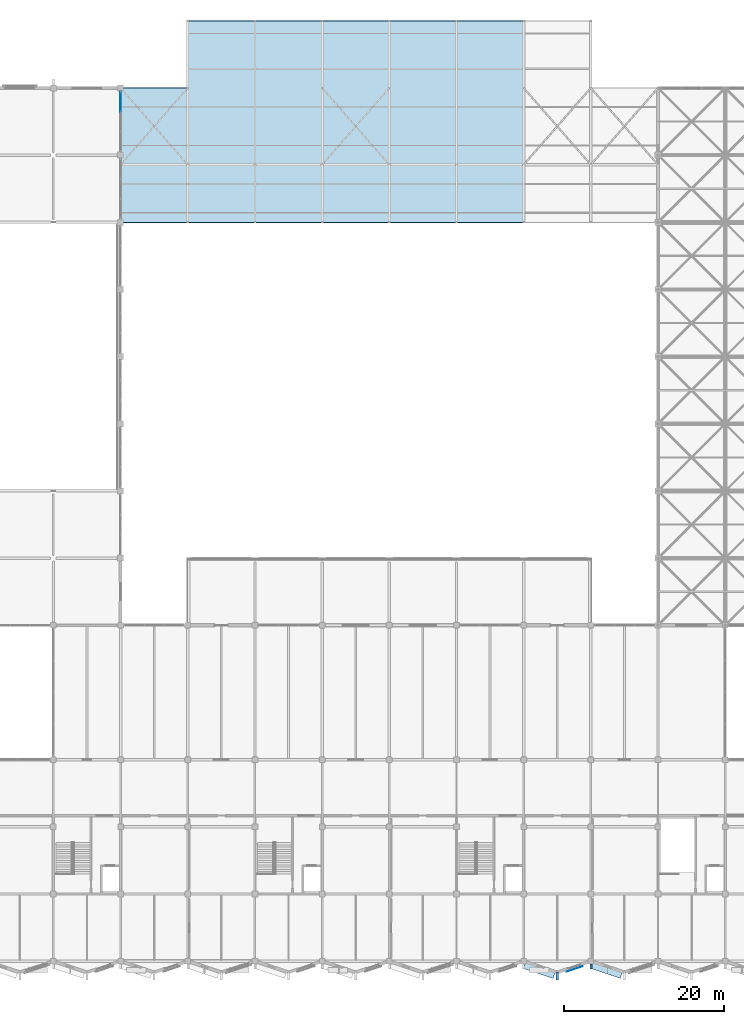
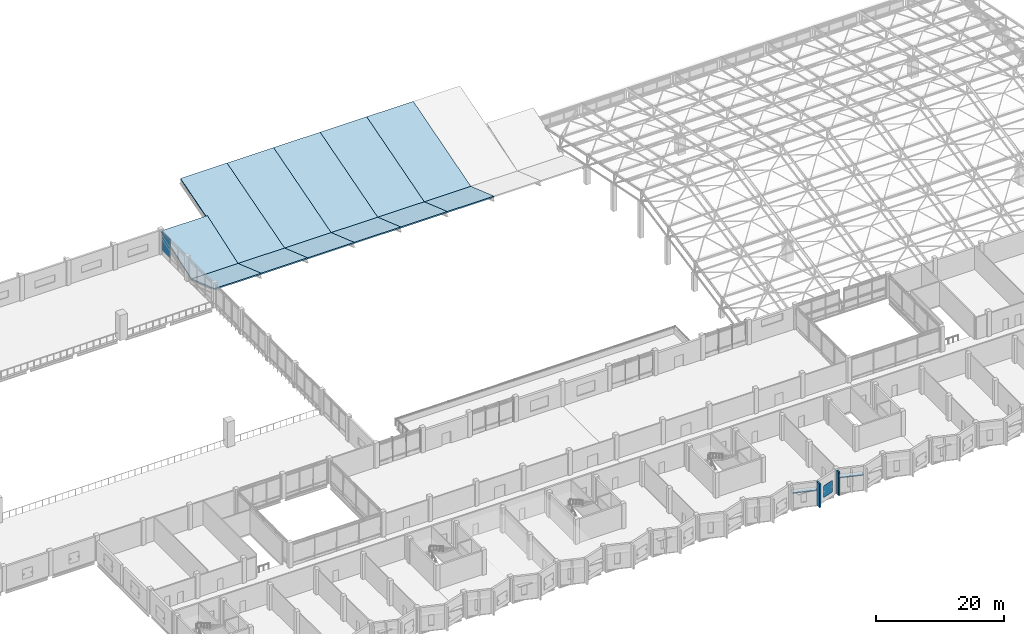
# One storey, part 75 of 110: 12 slabs, 7 plates, 1 element without a shape of its own.
"""IFC4 building model written with IfcOpenShell, lengths in metres."""

from ifc_helpers import new_model, si_unit, direction, frame, frame_2d, origin, place, context, subcontext, project, spatial, polyline, rectangle, outline, extrude, material, layer, layer_set, type_object, element, aggregate, save


model = new_model("IFC4")

# Units and contexts
model_context = context("Model", 3, precision=1e-05, world=origin(), true_north=direction((0.0, 1.0)))
body_context = subcontext(model_context, "Body", "Model", "MODEL_VIEW")
ifc_project = project(units=[si_unit("LENGTHUNIT", "METRE"), si_unit("AREAUNIT", "SQUARE_METRE"), si_unit("VOLUMEUNIT", "CUBIC_METRE"), si_unit("PLANEANGLEUNIT", "RADIAN"), si_unit("MASSUNIT", "GRAM", prefix="KILO")], contexts=[model_context])

# Site, building, storey
site_placement = place(None, origin())
site = spatial("IfcSite", under=ifc_project, at=site_placement, CompositionType="ELEMENT")
building_placement = place(site_placement, origin())
building = spatial("IfcBuilding", under=site, at=building_placement, Name="Qawsi Khor Wholesale Market", CompositionType="ELEMENT")
storey_placement = place(building_placement, frame((0.0, 0.0, 11.39990234375)))
storey = spatial("IfcBuildingStorey", under=building, at=storey_placement, Name="L02", CompositionType="ELEMENT", Elevation=11.39990234375)

# Plates
ifc_material_1 = material(Name="Perforated Bronze-Anodised Aluminium", Category="aluminium")
ifc_layer_1 = layer(ifc_material_1, 0.02001953125, Name="Perforated Bronze-Anodised Aluminium")
ifc_layer_set_1 = layer_set([ifc_layer_1], Name="Perforated Bronze-Anodised Aluminium")
plate_type_1 = type_object("IfcPlateType", Name="Perforated Bronze Mashrabiya Screen 20mm", PredefinedType="SHEET", material=ifc_layer_set_1)
plate_1_placement = place(storey_placement, frame((133.38671875, -0.63818359375, 0.85009765625), z_axis=(0.0, 0.0, 1.0), x_axis=(-0.948683298051, -0.316227766017, 0.0)))
element("IfcPlate", 1, at=plate_1_placement, inside=storey, type_object=plate_type_1, Name="Solar mashrabiya screen 033", PredefinedType="SHEET", context=body_context, shape_type="SweptSolid", body=[
    extrude(rectangle(XDim=2.099853515625, YDim=0.02001953125, at=frame_2d((1.0498046875, 0.0))), origin(), (0.0, 0.0, 1.0), 2.25),
])
ifc_material_2 = material(Name="Concrete C40/50", Category="concrete")
ifc_layer_2 = layer(ifc_material_2, 0.260009765625, Name="Concrete C40/50")
ifc_layer_set_2 = layer_set([ifc_layer_2], Name="Concrete C40/50")
plate_type_2 = type_object("IfcPlateType", Name="Sculpted Concrete Solar Buttress Fin 260", PredefinedType="SHEET", material=ifc_layer_set_2)
plate_2_placement = place(storey_placement, frame((130.199951171875, -2.35009765625, 0.0), z_axis=(0.0, 0.0, 1.0), x_axis=(0.0, 1.0, 0.0)))
element("IfcPlate", 2, at=plate_2_placement, inside=storey, type_object=plate_type_2, Name="Boulevard concrete solar buttress fin L02-25", PredefinedType="SHEET", context=body_context, shape_type="SweptSolid", body=[
    extrude(rectangle(XDim=1.0, YDim=0.260009765625, at=frame_2d((0.5, 0.0))), origin(), (0.0, 0.0, 1.0), 4.52001953125),
])
plate_3_placement = place(storey_placement, frame((134.39990234375, -0.949951171875, 0.0), z_axis=(0.0, 0.0, 1.0), x_axis=(0.0, 1.0, 0.0)))
element("IfcPlate", 3, at=plate_3_placement, inside=storey, type_object=plate_type_2, Name="Boulevard concrete solar buttress fin L02-26", PredefinedType="SHEET", context=body_context, shape_type="SweptSolid", body=[
    extrude(rectangle(XDim=0.570068359375, YDim=0.260009765625, at=frame_2d((0.28515625, 0.0))), origin(), (0.0, 0.0, 1.0), 4.52001953125),
])
ifc_layer_3 = layer(ifc_material_2, 0.949951171875, Name="Concrete C40/50")
ifc_layer_set_3 = layer_set([ifc_layer_3], Name="Concrete C40/50")
plate_type_3 = type_object("IfcPlateType", Name="Sculpted Concrete Sun-Hood Canopy 950", PredefinedType="SHEET", material=ifc_layer_set_3)
for number, where, z_axis, x_axis, name in (
    (4, (126.110595703125, -0.45849609375, 3.25), (0.0, 0.0, 1.0), (0.94867708111, -0.316246416226, 0.0), "Sculpted concrete sun-hood L02-25"),
    (5, (134.5107421875, -0.45849609375, 3.25), (0.0, 0.0, 1.0), (0.94867708111, -0.316246416226, 0.0), "Sculpted concrete sun-hood L02-27"),
):
    element("IfcPlate", number, at=place(storey_placement, frame(where, z_axis=z_axis, x_axis=x_axis)), inside=storey, type_object=plate_type_3, Name=name, PredefinedType="SHEET", context=body_context, shape_type="SweptSolid", body=[
        extrude(rectangle(XDim=3.92724609375, YDim=0.949951171875, at=frame_2d((1.963623046875, 0.0))), origin(), (0.0, 0.0, 1.0), 0.190185546875),
    ])

# Slabs
ifc_layer_4 = layer(ifc_material_2, 0.2099609375, Name="Concrete C40/50")
ifc_layer_set_4 = layer_set([ifc_layer_4], Name="Concrete C40/50")
slab_type = type_object("IfcSlabType", Name="Sloped Insulated Roof Deck 210", PredefinedType="ROOF", material=ifc_layer_set_4)
slab_1_placement = place(storey_placement, frame((75.60009765625, 92.39990234375, 3.4501953125), z_axis=(0.0, 0.328003748603, 0.944676421269), x_axis=(1.0, 0.0, 0.0)))
element("IfcSlab", 6, at=slab_1_placement, inside=storey, type_object=slab_type, Name="Auction Butterfly Roof South Wing 1", PredefinedType="ROOF", context=body_context, shape_type="SweptSolid", body=[
    extrude(outline(polyline([(0.0, 0.0), (8.39990234375, 0.0), (8.39990234375, 7.621864111760783), (0.0, 7.621864111760783), (0.0, 0.0)])), origin(), (0.0, 0.0, -1.0), 0.2099609375),
])
slab_2_placement = place(storey_placement, frame((75.60009765625, 99.60009765625, 0.9501953125), z_axis=(0.0, -0.325066997544, 0.945690989229), x_axis=(1.0, 0.0, 0.0)))
element("IfcSlab", 7, at=slab_2_placement, inside=storey, type_object=slab_type, Name="Auction Butterfly Roof North Wing 1", PredefinedType="ROOF", context=body_context, shape_type="SweptSolid", body=[
    extrude(outline(polyline([(0.0, 0.0), (8.39990234375, 0.0), (8.39990234375, 10.151152569886074), (0.0, 10.151152569886074), (0.0, 0.0)])), origin(), (0.0, 0.0, -1.0), 0.2099609375),
])
slab_3_placement = place(storey_placement, frame((84.0, 92.39990234375, 3.4501953125), z_axis=(0.0, 0.328003748603, 0.944676421269), x_axis=(1.0, 0.0, 0.0)))
element("IfcSlab", 8, at=slab_3_placement, inside=storey, type_object=slab_type, Name="Auction Butterfly Roof South Wing 2", PredefinedType="ROOF", context=body_context, shape_type="SweptSolid", body=[
    extrude(outline(polyline([(0.0, 0.0), (8.39990234375, 0.0), (8.39990234375, 7.621864111760783), (0.0, 7.621864111760783), (0.0, 0.0)])), origin(), (0.0, 0.0, -1.0), 0.2099609375),
])
slab_4_placement = place(storey_placement, frame((84.0, 99.60009765625, 0.9501953125), z_axis=(0.0, -0.282445263719, 0.959283416412), x_axis=(1.0, 0.0, 0.0)))
element("IfcSlab", 9, at=slab_4_placement, inside=storey, type_object=slab_type, Name="Auction Butterfly Roof North Wing 2", PredefinedType="ROOF", context=body_context, shape_type="SweptSolid", body=[
    extrude(outline(polyline([(0.0, 0.0), (8.39990234375, 0.0), (8.39990234375, 18.76400622803262), (0.0, 18.76400622803262), (0.0, 0.0)])), origin(), (0.0, 0.0, -1.0), 0.2099609375),
])
slab_5_placement = place(storey_placement, frame((92.39990234375, 92.39990234375, 3.4501953125), z_axis=(0.0, 0.328003748603, 0.944676421269), x_axis=(1.0, 0.0, 0.0)))
element("IfcSlab", 10, at=slab_5_placement, inside=storey, type_object=slab_type, Name="Auction Butterfly Roof South Wing 3", PredefinedType="ROOF", context=body_context, shape_type="SweptSolid", body=[
    extrude(outline(polyline([(0.0, 0.0), (8.400146484375, 0.0), (8.400146484375, 7.6218641117607815), (0.0, 7.6218641117607815), (0.0, 0.0)])), origin(), (0.0, 0.0, -1.0), 0.2099609375),
])
slab_6_placement = place(storey_placement, frame((92.39990234375, 99.60009765625, 0.9501953125), z_axis=(0.0, -0.282445263719, 0.959283416412), x_axis=(1.0, 0.0, 0.0)))
element("IfcSlab", 11, at=slab_6_placement, inside=storey, type_object=slab_type, Name="Auction Butterfly Roof North Wing 3", PredefinedType="ROOF", context=body_context, shape_type="SweptSolid", body=[
    extrude(outline(polyline([(0.0, 0.0), (8.400146484375, 0.0), (8.400146484375, 18.76400622803262), (0.0, 18.76400622803262), (0.0, 0.0)])), origin(), (0.0, 0.0, -1.0), 0.2099609375),
])
slab_7_placement = place(storey_placement, frame((100.800048828125, 92.39990234375, 3.4501953125), z_axis=(0.0, 0.328003748603, 0.944676421269), x_axis=(1.0, 0.0, 0.0)))
element("IfcSlab", 12, at=slab_7_placement, inside=storey, type_object=slab_type, Name="Auction Butterfly Roof South Wing 4", PredefinedType="ROOF", context=body_context, shape_type="SweptSolid", body=[
    extrude(outline(polyline([(0.0, 0.0), (8.39990234375, 0.0), (8.39990234375, 7.621864111760783), (0.0, 7.621864111760783), (0.0, 0.0)])), origin(), (0.0, 0.0, -1.0), 0.2099609375),
])
slab_8_placement = place(storey_placement, frame((100.800048828125, 99.60009765625, 0.9501953125), z_axis=(0.0, -0.282445263719, 0.959283416412), x_axis=(1.0, 0.0, 0.0)))
element("IfcSlab", 13, at=slab_8_placement, inside=storey, type_object=slab_type, Name="Auction Butterfly Roof North Wing 4", PredefinedType="ROOF", context=body_context, shape_type="SweptSolid", body=[
    extrude(outline(polyline([(0.0, 0.0), (8.39990234375, 0.0), (8.39990234375, 18.76400622803262), (0.0, 18.76400622803262), (0.0, 0.0)])), origin(), (0.0, 0.0, -1.0), 0.2099609375),
])
slab_9_placement = place(storey_placement, frame((109.199951171875, 92.39990234375, 3.4501953125), z_axis=(0.0, 0.328003748603, 0.944676421269), x_axis=(1.0, 0.0, 0.0)))
element("IfcSlab", 14, at=slab_9_placement, inside=storey, type_object=slab_type, Name="Auction Butterfly Roof South Wing 5", PredefinedType="ROOF", context=body_context, shape_type="SweptSolid", body=[
    extrude(outline(polyline([(0.0, 0.0), (8.400146484375, 0.0), (8.400146484375, 7.6218641117607815), (0.0, 7.6218641117607815), (0.0, 0.0)])), origin(), (0.0, 0.0, -1.0), 0.2099609375),
])
slab_10_placement = place(storey_placement, frame((109.199951171875, 99.60009765625, 0.9501953125), z_axis=(0.0, -0.282445263719, 0.959283416412), x_axis=(1.0, 0.0, 0.0)))
element("IfcSlab", 15, at=slab_10_placement, inside=storey, type_object=slab_type, Name="Auction Butterfly Roof North Wing 5", PredefinedType="ROOF", context=body_context, shape_type="SweptSolid", body=[
    extrude(outline(polyline([(0.0, 0.0), (8.400146484375, 0.0), (8.400146484375, 18.76400622803262), (0.0, 18.76400622803262), (0.0, 0.0)])), origin(), (0.0, 0.0, -1.0), 0.2099609375),
])
slab_11_placement = place(storey_placement, frame((117.60009765625, 92.39990234375, 3.4501953125), z_axis=(0.0, 0.328003748603, 0.944676421269), x_axis=(1.0, 0.0, 0.0)))
element("IfcSlab", 16, at=slab_11_placement, inside=storey, type_object=slab_type, Name="Auction Butterfly Roof South Wing 6", PredefinedType="ROOF", context=body_context, shape_type="SweptSolid", body=[
    extrude(outline(polyline([(0.0, 0.0), (8.39990234375, 0.0), (8.39990234375, 7.621864111760783), (0.0, 7.621864111760783), (0.0, 0.0)])), origin(), (0.0, 0.0, -1.0), 0.2099609375),
])
slab_12_placement = place(storey_placement, frame((117.60009765625, 99.60009765625, 0.9501953125), z_axis=(0.0, -0.282445263719, 0.959283416412), x_axis=(1.0, 0.0, 0.0)))
element("IfcSlab", 17, at=slab_12_placement, inside=storey, type_object=slab_type, Name="Auction Butterfly Roof North Wing 6", PredefinedType="ROOF", context=body_context, shape_type="SweptSolid", body=[
    extrude(outline(polyline([(0.0, 0.0), (8.39990234375, 0.0), (8.39990234375, 18.76400622803262), (0.0, 18.76400622803262), (0.0, 0.0)])), origin(), (0.0, 0.0, -1.0), 0.2099609375),
])

# Curtain wall, plates
ifc_material_3 = material(Name="Aluminium Anodised Bronze", Category="aluminium")
ifc_layer_5 = layer(ifc_material_3, 0.199951171875, Name="Aluminium Anodised Bronze")
ifc_layer_set_5 = layer_set([ifc_layer_5], Name="Aluminium Anodised Bronze")
curtain_wall_type = type_object("IfcCurtainWallType", Name="Trading Hall North-Light Curtain Wall CW-03", PredefinedType="NOTDEFINED", material=ifc_layer_set_5)
curtain_wall_placement = place(storey_placement, origin())
curtain_wall = element("IfcCurtainWall", 18, at=curtain_wall_placement, inside=storey, type_object=curtain_wall_type, Name="Curtain wall CW-CW-03-L02-158", PredefinedType="NOTDEFINED")
ifc_material_4 = material(Name="Tempered Low-E Solar Glass", Category="glass")
ifc_layer_6 = layer(ifc_material_4, 0.0419921875, Name="Tempered Low-E Solar Glass")
ifc_layer_set_6 = layer_set([ifc_layer_6], Name="Tempered Low-E Solar Glass")
plate_type_4 = type_object("IfcPlateType", Name="Solar Double-Glazed Unit CW-03 42mm", PredefinedType="CURTAIN_PANEL", material=ifc_layer_set_6)
plate_4_placement = place(storey_placement, frame((75.60009765625, 106.225830078125, 0.85498046875), z_axis=(0.0, 0.0, 1.0), x_axis=(0.0, 1.0, 0.0)))
plate_4 = element("IfcPlate", 19, at=plate_4_placement, type_object=plate_type_4, Name="Curtain panel CW-CW-03-L02-158-P1_02", PredefinedType="CURTAIN_PANEL", context=body_context, shape_type="SweptSolid", body=[
    extrude(rectangle(XDim=2.4765625, YDim=0.0419921875, at=frame_2d((1.23828125, 0.0))), origin(), (0.0, 0.0, 1.0), 3.210205078125),
])
plate_5_placement = place(storey_placement, frame((75.60009765625, 106.225830078125, 4.0751953125), z_axis=(0.0, 0.0, 1.0), x_axis=(0.0, 1.0, 0.0)))
plate_5 = element("IfcPlate", 20, at=plate_5_placement, type_object=plate_type_4, Name="Curtain panel CW-CW-03-L02-158-P2_02", PredefinedType="CURTAIN_PANEL", context=body_context, shape_type="SweptSolid", body=[
    extrude(rectangle(XDim=2.4765625, YDim=0.0419921875, at=frame_2d((1.23828125, 0.0))), origin(), (0.0, 0.0, 1.0), 0.43994140625),
])
aggregate(curtain_wall, [plate_4, plate_5])

save(model, "model.ifc")
